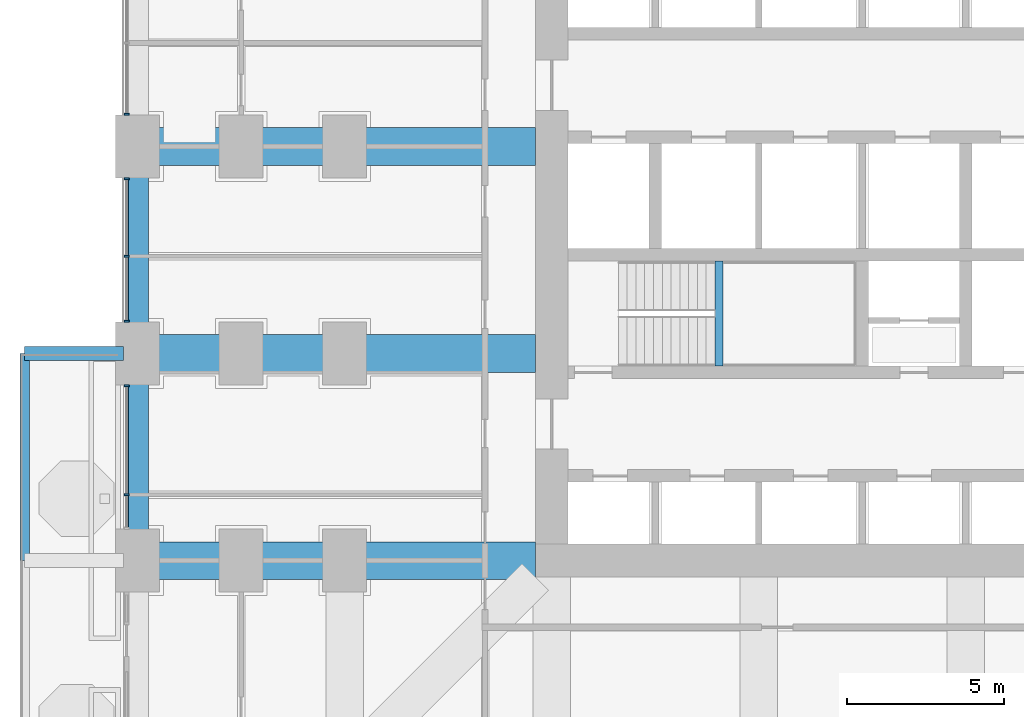
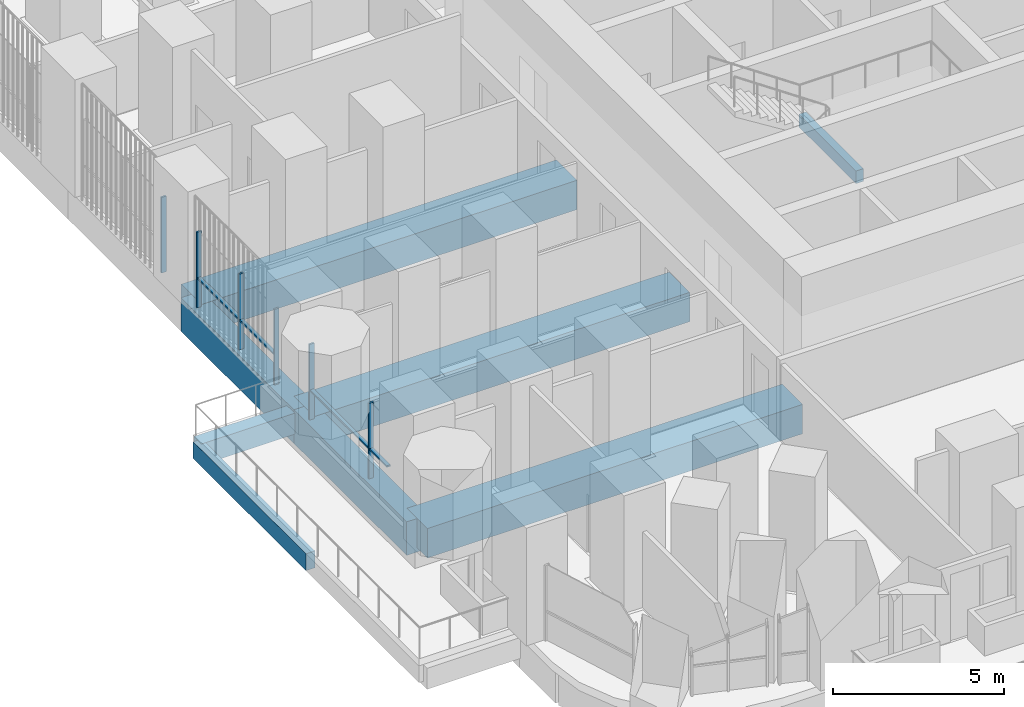
# One storey, part 4 of 25: 10 members, 8 beams, 3 elements without a shape of their own.
"""IFC4 building model written with IfcOpenShell, lengths in metres."""

from ifc_helpers import new_model, si_unit, direction, frame, origin, origin_2d, place, context, subcontext, project, spatial, rectangle, extrude, material, material_profile, profile_set, type_object, element, aggregate, save


model = new_model("IFC4")

# Units and contexts
model_context = context("Model", 3, precision=1e-05, world=origin(), true_north=direction((0.0, 1.0)))
body_context = subcontext(model_context, "Body", "Model", "MODEL_VIEW")
ifc_project = project(units=[si_unit("LENGTHUNIT", "METRE"), si_unit("AREAUNIT", "SQUARE_METRE"), si_unit("VOLUMEUNIT", "CUBIC_METRE"), si_unit("PLANEANGLEUNIT", "RADIAN"), si_unit("MASSUNIT", "GRAM", prefix="KILO")], contexts=[model_context])

# Site, building, storey
site_placement = place(None, origin())
site = spatial("IfcSite", under=ifc_project, at=site_placement, CompositionType="ELEMENT")
building_placement = place(site_placement, origin())
building = spatial("IfcBuilding", under=site, at=building_placement, Name="Cobogo Forest Laboratory Tower", CompositionType="ELEMENT")
storey_placement = place(building_placement, frame((0.0, 0.0, 21.300048828125)))
storey = spatial("IfcBuildingStorey", under=building, at=storey_placement, Name="L04", CompositionType="ELEMENT", Elevation=21.300048828125)

# Beams
ifc_material_1 = material(Name="Concrete HA-40 (C40/50)", Category="concrete")
ifc_material_profile_1 = material_profile(ifc_material_1, rectangle(XDim=0.449951171875, YDim=0.75, at=origin_2d()), Name="RC 450x750")
ifc_profile_set_1 = profile_set([ifc_material_profile_1], Name="Concrete HA-40 (C40/50)")
beam_type_1 = type_object("IfcBeamType", Name="Balcony cantilever beam 450x750", PredefinedType="BEAM", material=ifc_profile_set_1)
beam_1_placement = place(storey_placement, frame((-0.449951171875, 19.800048828125, -0.625), z_axis=(-1.0, 0.0, 0.0), x_axis=(0.0, -1.0, 0.0)))
element("IfcBeam", 1, at=beam_1_placement, inside=storey, type_object=beam_type_1, Name="CB1 BAL-W1-C3 L04", PredefinedType="BEAM", context=body_context, shape_type="SweptSolid", body=[
    extrude(rectangle(XDim=0.449951171875, YDim=0.75, at=origin_2d()), origin(), (0.0, 0.0, 1.0), 3.150146484375),
])
ifc_material_profile_2 = material_profile(ifc_material_1, rectangle(XDim=0.300048828125, YDim=0.60009765625, at=origin_2d()), Name="RC 300x600")
ifc_profile_set_2 = profile_set([ifc_material_profile_2], Name="Concrete HA-40 (C40/50)")
beam_type_2 = type_object("IfcBeamType", Name="Balcony edge beam 300x600", PredefinedType="BEAM", material=ifc_profile_set_2)
beam_2_placement = place(storey_placement, frame((-3.60009765625, 13.199951171875, -0.550048828125), z_axis=(0.0, 1.0, 0.0), x_axis=(-1.0, 0.0, 0.0)))
element("IfcBeam", 2, at=beam_2_placement, inside=storey, type_object=beam_type_2, Name="BB1 BAL-W1-T2 L04", PredefinedType="BEAM", context=body_context, shape_type="SweptSolid", body=[
    extrude(rectangle(XDim=0.300048828125, YDim=0.60009765625, at=origin_2d()), origin(), (0.0, 0.0, 1.0), 6.60009765625),
])
ifc_material_profile_3 = material_profile(ifc_material_1, rectangle(XDim=0.25, YDim=0.449951171875, at=origin_2d()), Name="RC 250x450")
ifc_profile_set_3 = profile_set([ifc_material_profile_3], Name="Concrete HA-40 (C40/50)")
beam_type_3 = type_object("IfcBeamType", Name="LB1 landing beam 250x450", PredefinedType="BEAM", material=ifc_profile_set_3)
beam_3_placement = place(storey_placement, frame((18.530029296875, 19.39990234375, 1.675048828125), z_axis=(0.0, 1.0, 0.0), x_axis=(-1.0, 0.0, 0.0)))
element("IfcBeam", 3, at=beam_3_placement, inside=storey, type_object=beam_type_3, Name="Landing beam ST1 L04", PredefinedType="BEAM", context=body_context, shape_type="SweptSolid", body=[
    extrude(rectangle(XDim=0.25, YDim=0.449951171875, at=origin_2d()), origin(), (0.0, 0.0, 1.0), 3.35009765625),
])
ifc_material_profile_4 = material_profile(ifc_material_1, rectangle(XDim=1.199951171875, YDim=1.050048828125, at=origin_2d()), Name="RC 1200x1050")
ifc_profile_set_4 = profile_set([ifc_material_profile_4], Name="Concrete HA-40 (C40/50)")
beam_type_4 = type_object("IfcBeamType", Name="Laboratory floor wide beam 1200x1050", PredefinedType="BEAM", material=ifc_profile_set_4)
for number, where, z_axis, x_axis, name in (
    (4, (12.675048828125, 13.199951171875, -0.824951171875), (-1.0, 0.0, 0.0), (0.0, -1.0, 0.0), "RB1 R-C-W L04"),
    (5, (12.675048828125, 19.800048828125, -0.824951171875), (-1.0, 0.0, 0.0), (0.0, -1.0, 0.0), "RB1 R-D-W L04"),
    (6, (12.675048828125, 26.39990234375, -0.824951171875), (-1.0, 0.0, 0.0), (0.0, -1.0, 0.0), "RB1 R-E-W L04"),
):
    element("IfcBeam", number, at=place(storey_placement, frame(where, z_axis=z_axis, x_axis=x_axis)), inside=storey, type_object=beam_type_4, Name=name, PredefinedType="BEAM", context=body_context, shape_type="SweptSolid", body=[
        extrude(rectangle(XDim=1.199951171875, YDim=1.050048828125, at=origin_2d()), origin(), (0.0, 0.0, 1.0), 12.675048828125),
    ])

# Curtain wall, member
ifc_material_2 = material(Name="Aluminium curtain wall", Category="aluminium")
curtain_wall_type = type_object("IfcCurtainWallType", Name="CW-1 unitised curtain wall, clear glazing, laboratory floors zones A and B", PredefinedType="USERDEFINED", material=ifc_material_2)
curtain_wall_1_placement = place(storey_placement, origin())
curtain_wall_1 = element("IfcCurtainWall", 7, at=curtain_wall_1_placement, inside=storey, type_object=curtain_wall_type, Name="Curtain wall 28 L04", ObjectType="UNITISED CURTAIN WALL", PredefinedType="USERDEFINED")
ifc_material_3 = material(Name="Aluminium mullion", Category="aluminium")
ifc_material_profile_5 = material_profile(ifc_material_3, rectangle(XDim=0.06005859375, YDim=0.159912109375, at=origin_2d()), Name="AL 60x160")
ifc_profile_set_5 = profile_set([ifc_material_profile_5], Name="Aluminium mullion")
member_type_1 = type_object("IfcMemberType", Name="MU-1 aluminium mullion 60x160", PredefinedType="MULLION", material=ifc_profile_set_5)
member_1_placement = place(storey_placement, frame((-0.35009765625, 27.429931640625, 0.0), z_axis=(0.0, 0.0, 1.0), x_axis=(0.0, -1.0, 0.0)))
member_1 = element("IfcMember", 8, at=member_1_placement, type_object=member_type_1, Name="CW-1 mullion 3", PredefinedType="MULLION", context=body_context, shape_type="SweptSolid", body=[
    extrude(rectangle(XDim=0.06005859375, YDim=0.159912109375, at=origin_2d()), origin(), (0.0, 0.0, 1.0), 2.699951171875),
])
aggregate(curtain_wall_1, [member_1])

# Curtain wall, members
curtain_wall_2_placement = place(storey_placement, origin())
curtain_wall_2 = element("IfcCurtainWall", 9, at=curtain_wall_2_placement, inside=storey, type_object=curtain_wall_type, Name="Curtain wall 29 L04", ObjectType="UNITISED CURTAIN WALL", PredefinedType="USERDEFINED")
member_2_placement = place(storey_placement, frame((-0.35009765625, 25.3701171875, 0.0), z_axis=(0.0, 0.0, 1.0), x_axis=(0.0, -1.0, 0.0)))
member_2 = element("IfcMember", 10, at=member_2_placement, type_object=member_type_1, Name="CW-1 mullion 1", PredefinedType="MULLION", context=body_context, shape_type="SweptSolid", body=[
    extrude(rectangle(XDim=0.06005859375, YDim=0.159912109375, at=origin_2d()), origin(), (0.0, 0.0, 1.0), 2.699951171875),
])
member_3_placement = place(storey_placement, frame((-0.35009765625, 22.89990234375, 0.0), z_axis=(0.0, 0.0, 1.0), x_axis=(0.0, -1.0, 0.0)))
member_3 = element("IfcMember", 11, at=member_3_placement, type_object=member_type_1, Name="CW-1 mullion 2", PredefinedType="MULLION", context=body_context, shape_type="SweptSolid", body=[
    extrude(rectangle(XDim=0.06005859375, YDim=0.159912109375, at=origin_2d()), origin(), (0.0, 0.0, 1.0), 2.699951171875),
])
member_4_placement = place(storey_placement, frame((-0.35009765625, 20.830078125, 0.0), z_axis=(0.0, 0.0, 1.0), x_axis=(0.0, -1.0, 0.0)))
member_4 = element("IfcMember", 12, at=member_4_placement, type_object=member_type_1, Name="CW-1 mullion 3", PredefinedType="MULLION", context=body_context, shape_type="SweptSolid", body=[
    extrude(rectangle(XDim=0.06005859375, YDim=0.159912109375, at=origin_2d()), origin(), (0.0, 0.0, 1.0), 2.699951171875),
])

curtain_wall_3_placement = place(storey_placement, origin())
curtain_wall_3 = element("IfcCurtainWall", 13, at=curtain_wall_3_placement, inside=storey, type_object=curtain_wall_type, Name="Curtain wall 30 L04", ObjectType="UNITISED CURTAIN WALL", PredefinedType="USERDEFINED")
member_5_placement = place(storey_placement, frame((-0.35009765625, 18.77001953125, 0.0), z_axis=(0.0, 0.0, 1.0), x_axis=(0.0, -1.0, 0.0)))
member_5 = element("IfcMember", 14, at=member_5_placement, type_object=member_type_1, Name="CW-1 mullion 1", PredefinedType="MULLION", context=body_context, shape_type="SweptSolid", body=[
    extrude(rectangle(XDim=0.06005859375, YDim=0.159912109375, at=origin_2d()), origin(), (0.0, 0.0, 1.0), 2.699951171875),
])
member_6_placement = place(storey_placement, frame((-0.35009765625, 15.300048828125, 0.0), z_axis=(0.0, 0.0, 1.0), x_axis=(0.0, -1.0, 0.0)))
member_6 = element("IfcMember", 15, at=member_6_placement, type_object=member_type_1, Name="CW-1 mullion 2", PredefinedType="MULLION", context=body_context, shape_type="SweptSolid", body=[
    extrude(rectangle(XDim=0.06005859375, YDim=0.159912109375, at=origin_2d()), origin(), (0.0, 0.0, 1.0), 2.699951171875),
])

# Beams
ifc_material_profile_6 = material_profile(ifc_material_1, rectangle(XDim=0.699951171875, YDim=1.199951171875, at=origin_2d()), Name="RC 700x1200")
ifc_profile_set_6 = profile_set([ifc_material_profile_6], Name="Concrete HA-40 (C40/50)")
beam_type_5 = type_object("IfcBeamType", Name="Perimeter edge beam 700x1200", PredefinedType="BEAM", material=ifc_profile_set_6)
beam_4_placement = place(storey_placement, frame((0.0, 13.199951171875, -0.900146484375), z_axis=(0.0, 1.0, 0.0), x_axis=(-1.0, 0.0, 0.0)))
element("IfcBeam", 16, at=beam_4_placement, inside=storey, type_object=beam_type_5, Name="EB1 E-W2 L04", PredefinedType="BEAM", context=body_context, shape_type="SweptSolid", body=[
    extrude(rectangle(XDim=0.699951171875, YDim=1.199951171875, at=origin_2d()), origin(), (0.0, 0.0, 1.0), 6.60009765625),
])
beam_5_placement = place(storey_placement, frame((0.0, 19.800048828125, -0.900146484375), z_axis=(0.0, 1.0, 0.0), x_axis=(-1.0, 0.0, 0.0)))
element("IfcBeam", 17, at=beam_5_placement, inside=storey, type_object=beam_type_5, Name="EB1 E-W3 L04", PredefinedType="BEAM", context=body_context, shape_type="SweptSolid", body=[
    extrude(rectangle(XDim=0.699951171875, YDim=1.199951171875, at=origin_2d()), origin(), (0.0, 0.0, 1.0), 6.599853515625),
])

# Member
ifc_material_4 = material(Name="Aluminium transom", Category="aluminium")
ifc_material_profile_7 = material_profile(ifc_material_4, rectangle(XDim=0.1201171875, YDim=0.06005859375, at=origin_2d()), Name="AL 60x120")
ifc_profile_set_7 = profile_set([ifc_material_profile_7], Name="Aluminium transom")
member_type_2 = type_object("IfcMemberType", Name="TR-1 aluminium transom 60x120", PredefinedType="USERDEFINED", material=ifc_profile_set_7)
member_7_placement = place(storey_placement, frame((-0.35009765625, 25.340087890625, 1.050048828125), z_axis=(0.0, -1.0, 0.0), x_axis=(1.0, 0.0, 0.0)))
member_7 = element("IfcMember", 18, at=member_7_placement, type_object=member_type_2, Name="CW-1 transom 1.1", ObjectType="TRANSOM", PredefinedType="USERDEFINED", context=body_context, shape_type="SweptSolid", body=[
    extrude(rectangle(XDim=0.1201171875, YDim=0.06005859375, at=origin_2d()), origin(), (0.0, 0.0, 1.0), 2.41015625),
])

member_8_placement = place(storey_placement, frame((-0.35009765625, 22.8701171875, 1.050048828125), z_axis=(0.0, -1.0, 0.0), x_axis=(1.0, 0.0, 0.0)))
member_8 = element("IfcMember", 19, at=member_8_placement, type_object=member_type_2, Name="CW-1 transom 2.1", ObjectType="TRANSOM", PredefinedType="USERDEFINED", context=body_context, shape_type="SweptSolid", body=[
    extrude(rectangle(XDim=0.1201171875, YDim=0.06005859375, at=origin_2d()), origin(), (0.0, 0.0, 1.0), 2.010009765625),
])

aggregate(curtain_wall_2, [member_2, member_3, member_4, member_7, member_8])

member_9_placement = place(storey_placement, frame((-0.35009765625, 18.739990234375, 1.050048828125), z_axis=(0.0, -1.0, 0.0), x_axis=(1.0, 0.0, 0.0)))
member_9 = element("IfcMember", 20, at=member_9_placement, type_object=member_type_2, Name="CW-1 transom 1.1", ObjectType="TRANSOM", PredefinedType="USERDEFINED", context=body_context, shape_type="SweptSolid", body=[
    extrude(rectangle(XDim=0.1201171875, YDim=0.06005859375, at=origin_2d()), origin(), (0.0, 0.0, 1.0), 3.409912109375),
])

member_10_placement = place(storey_placement, frame((-0.35009765625, 15.27001953125, 1.050048828125), z_axis=(0.0, -1.0, 0.0), x_axis=(1.0, 0.0, 0.0)))
member_10 = element("IfcMember", 21, at=member_10_placement, type_object=member_type_2, Name="CW-1 transom 2.1", ObjectType="TRANSOM", PredefinedType="USERDEFINED", context=body_context, shape_type="SweptSolid", body=[
    extrude(rectangle(XDim=0.1201171875, YDim=0.06005859375, at=origin_2d()), origin(), (0.0, 0.0, 1.0), 1.010009765625),
])

aggregate(curtain_wall_3, [member_5, member_6, member_9, member_10])

save(model, "model.ifc")
